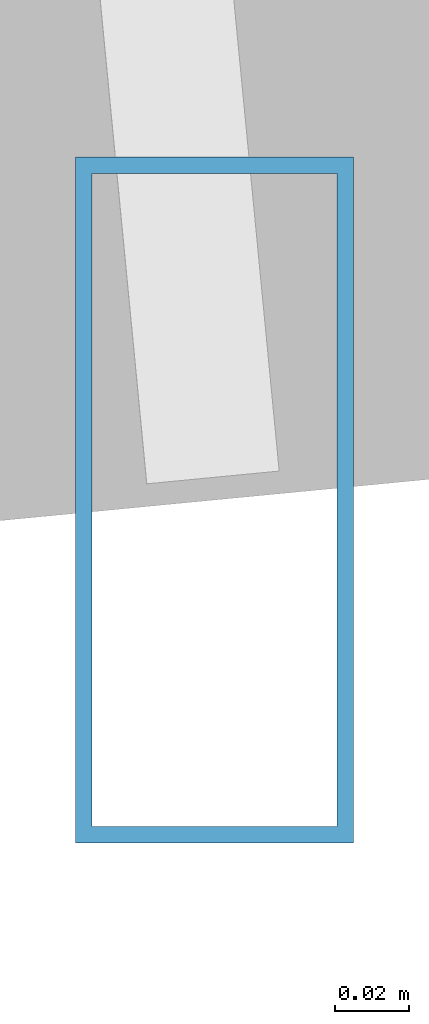
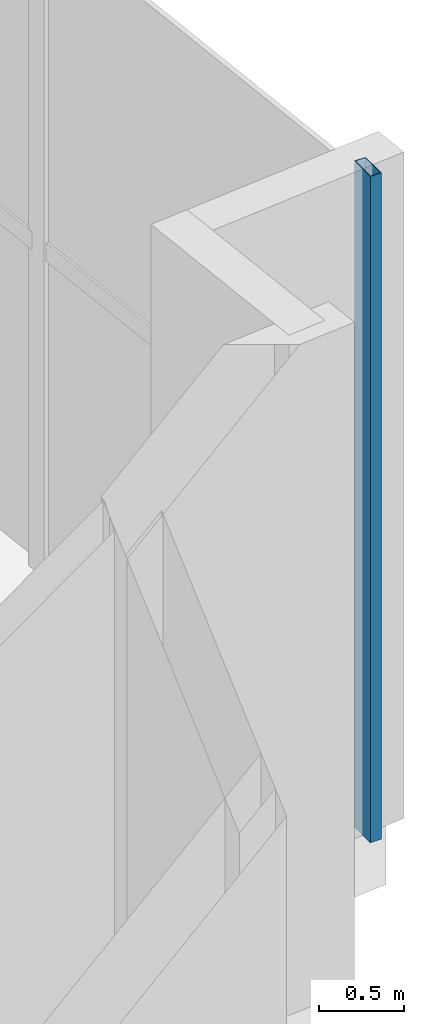
# One storey, part 12 of 28: 1 member, 1 element without a shape of its own.
"""IFC4 building model written with IfcOpenShell, lengths in metres."""

from ifc_helpers import new_model, si_unit, direction, frame, origin, origin_2d, place, context, subcontext, project, spatial, hollow_rectangle, extrude, source, transform, mapped, material, material_profile, profile_set, type_object, type_shapes, element, aggregate, save


model = new_model("IFC4")

# Units and contexts
model_context = context("Model", 3, precision=1e-05, world=origin(), true_north=direction((0.0, 1.0)))
body_context = subcontext(model_context, "Body", "Model", "MODEL_VIEW")
ifc_project = project(units=[si_unit("LENGTHUNIT", "METRE"), si_unit("AREAUNIT", "SQUARE_METRE"), si_unit("VOLUMEUNIT", "CUBIC_METRE"), si_unit("PLANEANGLEUNIT", "RADIAN"), si_unit("MASSUNIT", "GRAM", prefix="KILO")], contexts=[model_context])

# Site, building, storey
site_placement = place(None, origin())
site = spatial("IfcSite", under=ifc_project, at=site_placement, CompositionType="ELEMENT")
building_placement = place(site_placement, origin())
building = spatial("IfcBuilding", under=site, at=building_placement, Name="Astriad Promenade Condominiums", CompositionType="ELEMENT")
storey_placement = place(building_placement, frame((0.0, 0.0, 72.60009765625)))
storey = spatial("IfcBuildingStorey", under=building, at=storey_placement, Name="L20", CompositionType="ELEMENT", Elevation=72.60009765625)

# Curtain wall, member
ifc_material_1 = material(Name="Anodised aluminium Black Dark Glass Unitised", Category="aluminium")
curtain_wall_type = type_object("IfcCurtainWallType", Name="CW-B2-DARK", PredefinedType="USERDEFINED", material=ifc_material_1)
curtain_wall_placement = place(storey_placement, origin())
curtain_wall = element("IfcCurtainWall", 1, at=curtain_wall_placement, inside=storey, type_object=curtain_wall_type, Name="CW-L20-E-2", ObjectType="UNITISED_CURTAIN_WALL", PredefinedType="USERDEFINED")
ifc_material_2 = material(Name="Anodised aluminium 6063-T6 Black", Category="aluminium")
ifc_material_profile = material_profile(ifc_material_2, hollow_rectangle(XDim=0.074951171875, YDim=0.18505859375, WallThickness=0.00439453125, at=origin_2d()), Name="ALU-MUL-75X185")
ifc_profile_set = profile_set([ifc_material_profile], Name="Anodised aluminium 6063-T6 Black")
member_type = type_object("IfcMemberType", Name="MUL-ALU-MUL-75X185", PredefinedType="MULLION", material=ifc_profile_set)
shared_shape = source(origin(), body_context, "Body", "SweptSolid", [
    extrude(hollow_rectangle(XDim=0.074951171875, YDim=0.18505859375, WallThickness=0.00439453125, at=origin_2d()), origin(), (0.0, 0.0, 1.0), 4.77978515625),
])
type_shapes(member_type, [shared_shape])
member_placement = place(storey_placement, frame((69.4521484375, 11.67822265625, 0.0), z_axis=(0.0, 0.0, 1.0), x_axis=(1.0, 0.0, 0.0)))
member = element("IfcMember", 2, at=member_placement, type_object=member_type, Name="CW-L20-E-2-MUL-02", PredefinedType="MULLION", context=body_context, shape_type="MappedRepresentation", body=[
    mapped(shared_shape, transform((0.0, 0.0, 0.0), scale=1.0)),
])
aggregate(curtain_wall, [member])

save(model, "model.ifc")
